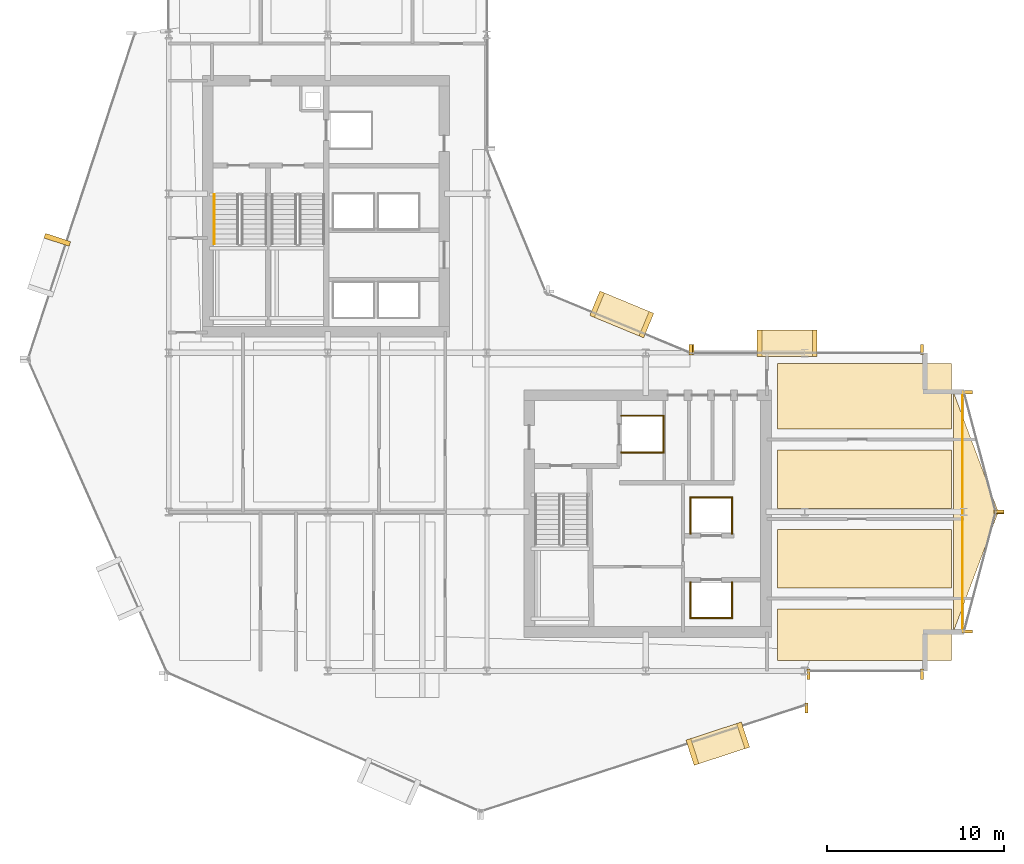
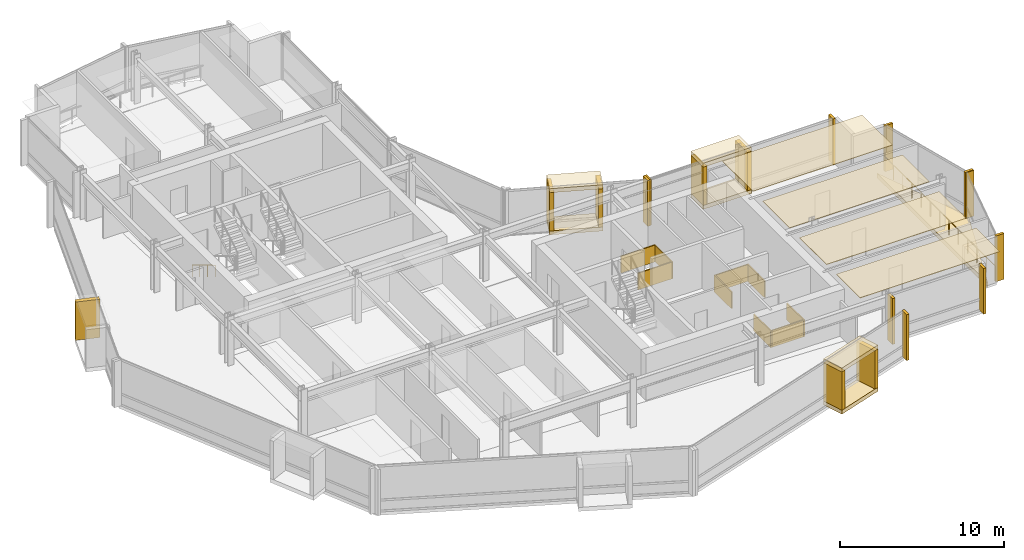
# One storey, part 28 of 29: 37 coverings, 2 railings.
"""IFC4 building model written with IfcOpenShell, lengths in metres."""

from ifc_helpers import new_model, si_unit, direction, frame, origin, origin_2d, place, context, subcontext, project, spatial, polyline, rectangle, circle, outline, extrude, material, layer, layer_set, type_object, element, save


model = new_model("IFC4")

# Units and contexts
model_context = context("Model", 3, precision=1e-05, world=origin(), true_north=direction((0.0, 1.0)))
body_context = subcontext(model_context, "Body", "Model", "MODEL_VIEW")
ifc_project = project(units=[si_unit("LENGTHUNIT", "METRE"), si_unit("AREAUNIT", "SQUARE_METRE"), si_unit("VOLUMEUNIT", "CUBIC_METRE"), si_unit("PLANEANGLEUNIT", "RADIAN"), si_unit("MASSUNIT", "GRAM", prefix="KILO")], contexts=[model_context])

# Site, building, storey
site_placement = place(None, origin())
site = spatial("IfcSite", under=ifc_project, at=site_placement, CompositionType="ELEMENT")
building_placement = place(site_placement, origin())
building = spatial("IfcBuilding", under=site, at=building_placement, Name="Solvaryn Broadcast Tower", CompositionType="ELEMENT")
storey_placement = place(building_placement, frame((0.0, 0.0, 117.39990234375)))
storey = spatial("IfcBuildingStorey", under=building, at=storey_placement, Name="L28", CompositionType="ELEMENT", Elevation=117.39990234375)

# Coverings
ifc_material_1 = material(Name="Micro-Perforated Acoustic Gypsum Ceiling", Category="concrete")
ifc_layer_1 = layer(ifc_material_1, 0.0400390625)
ifc_layer_set_1 = layer_set([ifc_layer_1], Name="CV-CEIL-ACOUSTIC")
covering_type_1 = type_object("IfcCoveringType", Name="CV-CEIL-ACOUSTIC", PredefinedType="CEILING", material=ifc_layer_set_1)
covering_1_placement = place(storey_placement, frame((0.0, 0.0, 3.380126953125)))
element("IfcCovering", 1, at=covering_1_placement, inside=storey, type_object=covering_type_1, Name="L28 Room Acoustic Ceiling 10", PredefinedType="CEILING", context=body_context, shape_type="SweptSolid", body=[
    extrude(outline(polyline([(43.449951171875, 9.60009765625), (53.300048828125, 9.60009765625), (53.300048828125, 12.5), (43.449951171875, 12.5), (43.449951171875, 9.60009765625)])), origin(), (0.0, 0.0, 1.0), 0.0400390625),
])
covering_2_placement = place(storey_placement, frame((0.0, 0.0, 3.380126953125)))
element("IfcCovering", 2, at=covering_2_placement, inside=storey, type_object=covering_type_1, Name="L28 Room Acoustic Ceiling 11", PredefinedType="CEILING", context=body_context, shape_type="SweptSolid", body=[
    extrude(outline(polyline([(43.449951171875, 13.699951171875), (53.300048828125, 13.699951171875), (53.300048828125, 17.0), (43.449951171875, 17.0), (43.449951171875, 13.699951171875)])), origin(), (0.0, 0.0, 1.0), 0.0400390625),
])
covering_3_placement = place(storey_placement, frame((0.0, 0.0, 3.380126953125)))
element("IfcCovering", 3, at=covering_3_placement, inside=storey, type_object=covering_type_1, Name="L28 Room Acoustic Ceiling 12", PredefinedType="CEILING", context=body_context, shape_type="SweptSolid", body=[
    extrude(outline(polyline([(43.449951171875, 18.199951171875), (53.300048828125, 18.199951171875), (53.300048828125, 21.5), (43.449951171875, 21.5), (43.449951171875, 18.199951171875)])), origin(), (0.0, 0.0, 1.0), 0.0400390625),
])
covering_4_placement = place(storey_placement, frame((0.0, 0.0, 3.380126953125)))
element("IfcCovering", 4, at=covering_4_placement, inside=storey, type_object=covering_type_1, Name="L28 Room Acoustic Ceiling 13", PredefinedType="CEILING", context=body_context, shape_type="SweptSolid", body=[
    extrude(outline(polyline([(43.449951171875, 22.699951171875), (53.300048828125, 22.699951171875), (53.300048828125, 26.39990234375), (43.449951171875, 26.39990234375), (43.449951171875, 22.699951171875)])), origin(), (0.0, 0.0, 1.0), 0.0400390625),
])
ifc_material_2 = material(Name="Fire-Rated Gypsum Shaftwall Liner", Category="concrete")
ifc_layer_2 = layer(ifc_material_2, 0.080078125)
ifc_layer_set_2 = layer_set([ifc_layer_2], Name="CV-SHAFT-LINER")
covering_type_2 = type_object("IfcCoveringType", Name="CV-SHAFT-LINER", PredefinedType="CLADDING", material=ifc_layer_set_2)
for number, where, z_axis, x_axis, name in (
    (5, (35.800048828125, 23.43994140625, 0.0), (0.0, 0.0, 1.0), (1.0, 0.0, 0.0), "L28 FL2 Hoistway Shaft Liner North"),
    (6, (35.800048828125, 21.360107421875, 0.0), (0.0, 0.0, 1.0), (1.0, 0.0, 0.0), "L28 FL2 Hoistway Shaft Liner South"),
):
    element("IfcCovering", number, at=place(storey_placement, frame(where, z_axis=z_axis, x_axis=x_axis)), inside=storey, type_object=covering_type_2, Name=name, PredefinedType="CLADDING", context=body_context, shape_type="SweptSolid", body=[
        extrude(rectangle(XDim=2.4599609375, YDim=0.080078125, at=origin_2d()), origin(), (0.0, 0.0, 1.0), 1.25),
    ])
covering_5_placement = place(storey_placement, frame((36.989990234375, 22.39990234375, 0.0), z_axis=(0.0, 0.0, 1.0), x_axis=(1.0, 0.0, 0.0)))
element("IfcCovering", 7, at=covering_5_placement, inside=storey, type_object=covering_type_2, Name="L28 FL2 Hoistway Shaft Liner East", PredefinedType="CLADDING", context=body_context, shape_type="SweptSolid", body=[
    extrude(rectangle(XDim=0.080078125, YDim=2.159912109375, at=origin_2d()), origin(), (0.0, 0.0, 1.0), 1.25),
])
covering_6_placement = place(storey_placement, frame((39.699951171875, 11.985107421875, 0.0), z_axis=(0.0, 0.0, 1.0), x_axis=(1.0, 0.0, 0.0)))
element("IfcCovering", 8, at=covering_6_placement, inside=storey, type_object=covering_type_2, Name="L28 PM1 Hoistway Shaft Liner South", PredefinedType="CLADDING", context=body_context, shape_type="SweptSolid", body=[
    extrude(rectangle(XDim=2.409912109375, YDim=0.080078125, at=origin_2d()), origin(), (0.0, 0.0, 1.0), 1.25),
])
for number, where, z_axis, x_axis, name in (
    (9, (40.864990234375, 13.0, 0.0), (0.0, 0.0, 1.0), (1.0, 0.0, 0.0), "L28 PM1 Hoistway Shaft Liner East"),
    (10, (38.534912109375, 13.0, 0.0), (0.0, 0.0, 1.0), (1.0, 0.0, 0.0), "L28 PM1 Hoistway Shaft Liner West"),
):
    element("IfcCovering", number, at=place(storey_placement, frame(where, z_axis=z_axis, x_axis=x_axis)), inside=storey, type_object=covering_type_2, Name=name, PredefinedType="CLADDING", context=body_context, shape_type="SweptSolid", body=[
        extrude(rectangle(XDim=0.080078125, YDim=2.110107421875, at=origin_2d()), origin(), (0.0, 0.0, 1.0), 1.25),
    ])
covering_7_placement = place(storey_placement, frame((39.699951171875, 18.81494140625, 0.0), z_axis=(0.0, 0.0, 1.0), x_axis=(1.0, 0.0, 0.0)))
element("IfcCovering", 11, at=covering_7_placement, inside=storey, type_object=covering_type_2, Name="L28 PM2 Hoistway Shaft Liner North", PredefinedType="CLADDING", context=body_context, shape_type="SweptSolid", body=[
    extrude(rectangle(XDim=2.409912109375, YDim=0.080078125, at=origin_2d()), origin(), (0.0, 0.0, 1.0), 1.25),
])
for number, where, z_axis, x_axis, name in (
    (12, (40.864990234375, 17.800048828125, 0.0), (0.0, 0.0, 1.0), (1.0, 0.0, 0.0), "L28 PM2 Hoistway Shaft Liner East"),
    (13, (38.534912109375, 17.800048828125, 0.0), (0.0, 0.0, 1.0), (1.0, 0.0, 0.0), "L28 PM2 Hoistway Shaft Liner West"),
):
    element("IfcCovering", number, at=place(storey_placement, frame(where, z_axis=z_axis, x_axis=x_axis)), inside=storey, type_object=covering_type_2, Name=name, PredefinedType="CLADDING", context=body_context, shape_type="SweptSolid", body=[
        extrude(rectangle(XDim=0.080078125, YDim=2.110107421875, at=origin_2d()), origin(), (0.0, 0.0, 1.0), 1.25),
    ])
ifc_material_3 = material(Name="Glazed Architectural Terracotta Rainscreen Cladding", Category="masonry")
ifc_layer_3 = layer(ifc_material_3, 0.280029296875)
ifc_layer_set_3 = layer_set([ifc_layer_3], Name="CV-TC-CLAD")
covering_type_3 = type_object("IfcCoveringType", Name="CV-TC-CLAD", PredefinedType="CLADDING", material=ifc_layer_set_3)
covering_8_placement = place(storey_placement, frame((2.693603515625, 33.396728515625, 0.2802734375), z_axis=(0.0, 0.0, 1.0), x_axis=(-0.311671636848, -0.950189870912, 0.0)))
element("IfcCovering", 14, at=covering_8_placement, inside=storey, type_object=covering_type_3, Name="L28 Projecting Stone Window Box Cheek 1-1", PredefinedType="CLADDING", context=body_context, shape_type="SweptSolid", body=[
    extrude(rectangle(XDim=0.280029296875, YDim=1.5, at=origin_2d()), origin(), (0.0, 0.0, 1.0), 2.860107421875),
])
for number, where, z_axis, x_axis, name in (
    (15, (40.071044921875, 4.883056640625, 3.1298828125), (0.0, 0.0, 1.0), (0.950189870912, 0.311671636848, 0.0), "L28 Projecting Stone Window Box Hood 4"),
    (16, (40.071044921875, 4.883056640625, -0.009765625), (0.0, 0.0, 1.0), (0.950189870912, 0.311671636848, 0.0), "L28 Projecting Stone Window Box Sill 4"),
):
    element("IfcCovering", number, at=place(storey_placement, frame(where, z_axis=z_axis, x_axis=x_axis)), inside=storey, type_object=covering_type_3, Name=name, PredefinedType="CLADDING", context=body_context, shape_type="SweptSolid", body=[
        extrude(rectangle(XDim=3.300048828125, YDim=1.5, at=origin_2d()), origin(), (0.0, 0.0, 1.0), 0.300048828125),
    ])
for number, where, z_axis, x_axis, name in (
    (17, (38.63623046875, 4.412353515625, 0.2802734375), (0.0, 0.0, 1.0), (0.950189870912, 0.311671636848, 0.0), "L28 Projecting Stone Window Box Cheek 4-1"),
    (18, (41.505859375, 5.353515625, 0.2802734375), (0.0, 0.0, 1.0), (0.950189870912, 0.311671636848, 0.0), "L28 Projecting Stone Window Box Cheek 4-2"),
):
    element("IfcCovering", number, at=place(storey_placement, frame(where, z_axis=z_axis, x_axis=x_axis)), inside=storey, type_object=covering_type_3, Name=name, PredefinedType="CLADDING", context=body_context, shape_type="SweptSolid", body=[
        extrude(rectangle(XDim=0.280029296875, YDim=1.5, at=origin_2d()), origin(), (0.0, 0.0, 1.0), 2.860107421875),
    ])
for number, where, z_axis, x_axis, name in (
    (19, (34.636962890625, 29.174072265625, 3.1298828125), (0.0, 0.0, 1.0), (-0.923879532511, 0.382683432365, 0.0), "L28 Projecting Stone Window Box Hood 5"),
    (20, (34.636962890625, 29.174072265625, -0.009765625), (0.0, 0.0, 1.0), (-0.923879532511, 0.382683432365, 0.0), "L28 Projecting Stone Window Box Sill 5"),
):
    element("IfcCovering", number, at=place(storey_placement, frame(where, z_axis=z_axis, x_axis=x_axis)), inside=storey, type_object=covering_type_3, Name=name, PredefinedType="CLADDING", context=body_context, shape_type="SweptSolid", body=[
        extrude(rectangle(XDim=3.300048828125, YDim=1.5, at=origin_2d()), origin(), (0.0, 0.0, 1.0), 0.300048828125),
    ])
for number, where, z_axis, x_axis, name in (
    (21, (36.031982421875, 28.59619140625, 0.2802734375), (0.0, 0.0, 1.0), (-0.923879532511, 0.382683432365, 0.0), "L28 Projecting Stone Window Box Cheek 5-1"),
    (22, (33.241943359375, 29.751953125, 0.2802734375), (0.0, 0.0, 1.0), (-0.923879532511, 0.382683432365, 0.0), "L28 Projecting Stone Window Box Cheek 5-2"),
):
    element("IfcCovering", number, at=place(storey_placement, frame(where, z_axis=z_axis, x_axis=x_axis)), inside=storey, type_object=covering_type_3, Name=name, PredefinedType="CLADDING", context=body_context, shape_type="SweptSolid", body=[
        extrude(rectangle(XDim=0.280029296875, YDim=1.5, at=origin_2d()), origin(), (0.0, 0.0, 1.0), 2.860107421875),
    ])
for number, where, z_axis, x_axis, name in (
    (23, (44.0, 27.530029296875, 3.1298828125), (0.0, 0.0, 1.0), (1.0, 0.0, 0.0), "L28 Projecting Stone Window Box Hood 6"),
    (24, (44.0, 27.530029296875, -0.009765625), (0.0, 0.0, 1.0), (1.0, 0.0, 0.0), "L28 Projecting Stone Window Box Sill 6"),
):
    element("IfcCovering", number, at=place(storey_placement, frame(where, z_axis=z_axis, x_axis=x_axis)), inside=storey, type_object=covering_type_3, Name=name, PredefinedType="CLADDING", context=body_context, shape_type="SweptSolid", body=[
        extrude(rectangle(XDim=3.39990234375, YDim=1.5, at=origin_2d()), origin(), (0.0, 0.0, 1.0), 0.300048828125),
    ])
for number, where, z_axis, x_axis, name in (
    (25, (42.43994140625, 27.530029296875, 0.2802734375), (0.0, 0.0, 1.0), (1.0, 0.0, 0.0), "L28 Projecting Stone Window Box Cheek 6-1"),
    (26, (45.56005859375, 27.530029296875, 0.2802734375), (0.0, 0.0, 1.0), (1.0, 0.0, 0.0), "L28 Projecting Stone Window Box Cheek 6-2"),
):
    element("IfcCovering", number, at=place(storey_placement, frame(where, z_axis=z_axis, x_axis=x_axis)), inside=storey, type_object=covering_type_3, Name=name, PredefinedType="CLADDING", context=body_context, shape_type="SweptSolid", body=[
        extrude(rectangle(XDim=0.280029296875, YDim=1.5, at=origin_2d()), origin(), (0.0, 0.0, 1.0), 2.860107421875),
    ])
ifc_material_4 = material(Name="Extruded Architectural Terracotta Fin", Category="masonry")
ifc_layer_4 = layer(ifc_material_4, 0.179931640625)
ifc_layer_set_4 = layer_set([ifc_layer_4], Name="CV-TC-FIN")
covering_type_4 = type_object("IfcCoveringType", Name="CV-TC-FIN", PredefinedType="USERDEFINED", material=ifc_layer_set_4)
for number, where, z_axis, x_axis, name in (
    (27, (45.0947265625, 6.898681640625, 0.000244140625), (0.0, 0.0, 1.0), (1.0, 0.0, 0.0), "L28 Terracotta Vertical Fin FIN-L28-DR4-M01"),
    (28, (38.541259765625, 27.177978515625, 0.000244140625), (0.0, 0.0, 1.0), (1.0, 0.0, 0.0), "L28 Terracotta Vertical Fin FIN-L28-CN1-M00"),
    (29, (45.197021484375, 8.8125, 0.000244140625), (0.0, 0.0, 1.0), (1.0, 0.0, 0.0), "L28 Terracotta Vertical Fin FIN-L28-S2-M00"),
    (30, (51.6201171875, 8.8125, 0.000244140625), (0.0, 0.0, 1.0), (1.0, 0.0, 0.0), "L28 Terracotta Vertical Fin FIN-L28-S2-M01"),
):
    element("IfcCovering", number, at=place(storey_placement, frame(where, z_axis=z_axis, x_axis=x_axis)), inside=storey, type_object=covering_type_4, Name=name, ObjectType="FIN", PredefinedType="USERDEFINED", context=body_context, shape_type="SweptSolid", body=[
        extrude(rectangle(XDim=0.179931640625, YDim=0.580078125, at=origin_2d()), origin(), (0.0, 0.0, 1.0), 3.419921875),
    ])
for number, where, z_axis, x_axis, name in (
    (31, (54.1953125, 24.77099609375, 0.000244140625), (0.0, 0.0, 1.0), (1.0, 0.0, 0.0), "L28 Terracotta Vertical Fin FIN-L28-ET1-M00"),
    (32, (55.979736328125, 18.029052734375, 0.000244140625), (0.0, 0.0, 1.0), (1.0, 0.0, 0.0), "L28 Terracotta Vertical Fin FIN-L28-ET1-M01"),
    (33, (55.979736328125, 17.970947265625, 0.000244140625), (0.0, 0.0, 1.0), (1.0, 0.0, 0.0), "L28 Terracotta Vertical Fin FIN-L28-ET2-M00"),
    (34, (54.1953125, 11.22900390625, 0.000244140625), (0.0, 0.0, 1.0), (1.0, 0.0, 0.0), "L28 Terracotta Vertical Fin FIN-L28-ET2-M01"),
):
    element("IfcCovering", number, at=place(storey_placement, frame(where, z_axis=z_axis, x_axis=x_axis)), inside=storey, type_object=covering_type_4, Name=name, ObjectType="FIN", PredefinedType="USERDEFINED", context=body_context, shape_type="SweptSolid", body=[
        extrude(rectangle(XDim=0.580078125, YDim=0.179931640625, at=origin_2d()), origin(), (0.0, 0.0, 1.0), 3.419921875),
    ])
for number, where, z_axis, x_axis, name in (
    (35, (38.6298828125, 27.1875, 0.000244140625), (0.0, 0.0, 1.0), (1.0, 0.0, 0.0), "L28 Terracotta Vertical Fin FIN-L28-IH-M00"),
    (36, (51.6201171875, 27.1875, 0.000244140625), (0.0, 0.0, 1.0), (1.0, 0.0, 0.0), "L28 Terracotta Vertical Fin FIN-L28-IH-M01"),
):
    element("IfcCovering", number, at=place(storey_placement, frame(where, z_axis=z_axis, x_axis=x_axis)), inside=storey, type_object=covering_type_4, Name=name, ObjectType="FIN", PredefinedType="USERDEFINED", context=body_context, shape_type="SweptSolid", body=[
        extrude(rectangle(XDim=0.179931640625, YDim=0.580078125, at=origin_2d()), origin(), (0.0, 0.0, 1.0), 3.419921875),
    ])
ifc_material_5 = material(Name="Sculpted Architectural Terracotta Wave Fascia", Category="masonry")
ifc_layer_5 = layer(ifc_material_5, 0.340087890625)
ifc_layer_set_5 = layer_set([ifc_layer_5], Name="CV-WAVE-TRAY")
covering_type_5 = type_object("IfcCoveringType", Name="CV-WAVE-TRAY", PredefinedType="CLADDING", material=ifc_layer_set_5)
covering_9_placement = place(storey_placement, frame((0.0, 0.0, -0.2998046875)))
element("IfcCovering", 37, at=covering_9_placement, inside=storey, type_object=covering_type_5, Name="L28 East Curved Wing Deck", PredefinedType="CLADDING", context=body_context, shape_type="SweptSolid", body=[
    extrude(outline(polyline([(53.39990234375, 11.199951171875), (55.949951171875, 18.0), (53.39990234375, 24.800048828125), (53.39990234375, 11.199951171875)])), origin(), (0.0, 0.0, 1.0), 0.329833984375),
])

# Railings
ifc_material_6 = material(Name="Brushed Stainless Steel Tubular Handrail", Category="steel")
railing_type_1 = type_object("IfcRailingType", Name="RL-STAIR-HANDRAIL", PredefinedType="HANDRAIL", material=ifc_material_6)
railing_1_placement = place(storey_placement, frame((11.570068359375, 35.9599609375, 0.168212890625)))
element("IfcRailing", 38, at=railing_1_placement, inside=storey, type_object=railing_type_1, Name="L28 ST1 stair handrail 1", PredefinedType="HANDRAIL", context=body_context, shape_type="SweptSolid", body=[
    extrude(circle(Radius=0.02392578125, at=origin_2d()), frame((0.0, 0.0, 0.8759765625), z_axis=(0.0, -0.857242210791, 0.514913383045), x_axis=(1.0, 0.0, 0.0)), (0.0, 0.0, 1.0), 3.266357421875),
    extrude(circle(Radius=0.02099609375, at=origin_2d()), origin(), (0.0, 0.0, 1.0), 0.851806640625),
    extrude(circle(Radius=0.02099609375, at=origin_2d()), frame((0.0, -0.933349609375, 0.560546875)), (0.0, 0.0, 1.0), 0.851806640625),
    extrude(circle(Radius=0.02099609375, at=origin_2d()), frame((0.0, -1.86669921875, 1.121337890625)), (0.0, 0.0, 1.0), 0.851806640625),
    extrude(circle(Radius=0.02099609375, at=origin_2d()), frame((0.0, -2.800048828125, 1.681884765625)), (0.0, 0.0, 1.0), 0.851806640625),
])
ifc_material_7 = material(Name="Stainless Steel and Laminated Glass Guard", Category="steel")
railing_type_2 = type_object("IfcRailingType", Name="RL-TER-1150", PredefinedType="BALUSTRADE", material=ifc_material_7)
railing_2_placement = place(storey_placement, frame((53.919921875, 11.199951171875, 0.0)))
element("IfcRailing", 39, at=railing_2_placement, inside=storey, type_object=railing_type_2, Name="L28 East Wing Spandrel Edge Guard", PredefinedType="BALUSTRADE", context=body_context, shape_type="SweptSolid", body=[
    extrude(circle(Radius=0.02392578125, at=origin_2d()), frame((0.0, 0.0, 1.1259765625), z_axis=(0.0, 1.0, 0.0), x_axis=(-1.0, 0.0, 0.0)), (0.0, 0.0, 1.0), 13.60009765625),
    extrude(circle(Radius=0.02099609375, at=origin_2d()), origin(), (0.0, 0.0, 1.0), 1.101806640625),
    extrude(circle(Radius=0.02099609375, at=origin_2d()), frame((0.0, 1.13330078125, 0.0)), (0.0, 0.0, 1.0), 1.101806640625),
    extrude(circle(Radius=0.02099609375, at=origin_2d()), frame((0.0, 2.2666015625, 0.0)), (0.0, 0.0, 1.0), 1.101806640625),
    extrude(circle(Radius=0.02099609375, at=origin_2d()), frame((0.0, 3.39990234375, 0.0)), (0.0, 0.0, 1.0), 1.101806640625),
    extrude(circle(Radius=0.02099609375, at=origin_2d()), frame((0.0, 4.533447265625, 0.0)), (0.0, 0.0, 1.0), 1.101806640625),
    extrude(circle(Radius=0.02099609375, at=origin_2d()), frame((0.0, 5.666748046875, 0.0)), (0.0, 0.0, 1.0), 1.101806640625),
    extrude(circle(Radius=0.02099609375, at=origin_2d()), frame((0.0, 6.800048828125, 0.0)), (0.0, 0.0, 1.0), 1.101806640625),
    extrude(circle(Radius=0.02099609375, at=origin_2d()), frame((0.0, 7.933349609375, 0.0)), (0.0, 0.0, 1.0), 1.101806640625),
    extrude(circle(Radius=0.02099609375, at=origin_2d()), frame((0.0, 9.066650390625, 0.0)), (0.0, 0.0, 1.0), 1.101806640625),
    extrude(circle(Radius=0.02099609375, at=origin_2d()), frame((0.0, 10.2001953125, 0.0)), (0.0, 0.0, 1.0), 1.101806640625),
    extrude(circle(Radius=0.02099609375, at=origin_2d()), frame((0.0, 11.33349609375, 0.0)), (0.0, 0.0, 1.0), 1.101806640625),
    extrude(circle(Radius=0.02099609375, at=origin_2d()), frame((0.0, 12.466796875, 0.0)), (0.0, 0.0, 1.0), 1.101806640625),
    extrude(circle(Radius=0.02099609375, at=origin_2d()), frame((0.0, 13.60009765625, 0.0)), (0.0, 0.0, 1.0), 1.101806640625),
])

save(model, "model.ifc")
